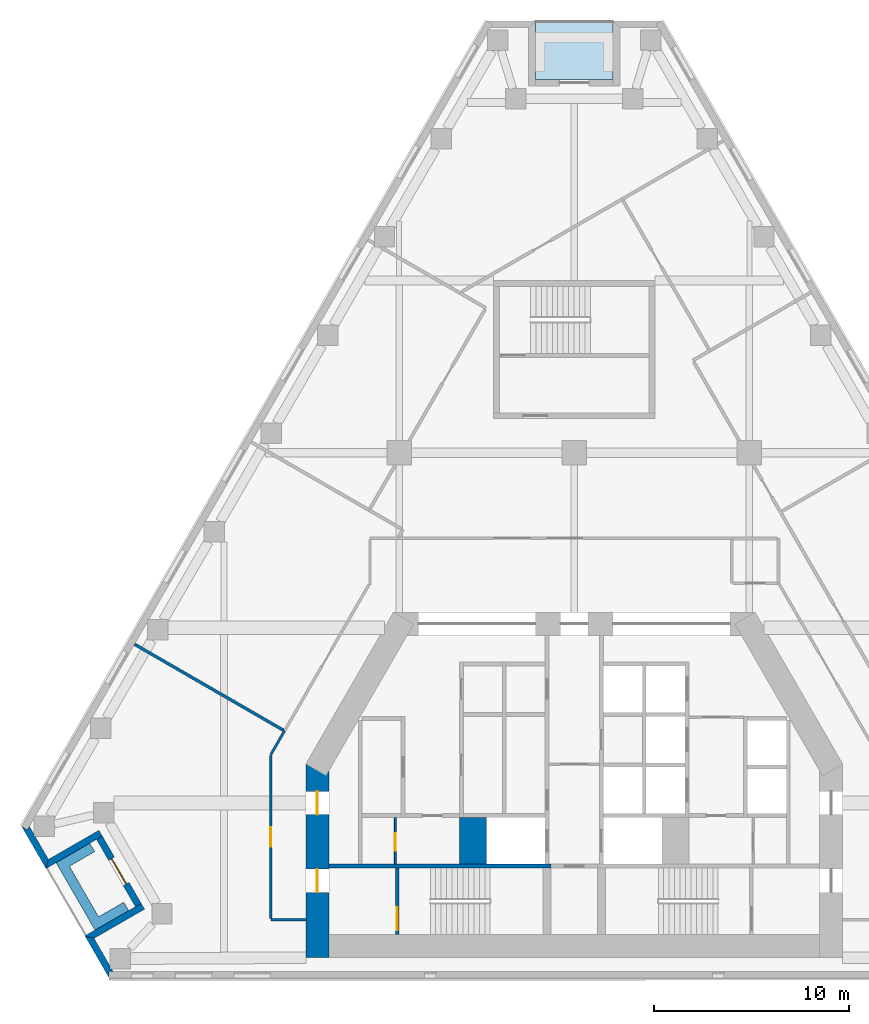
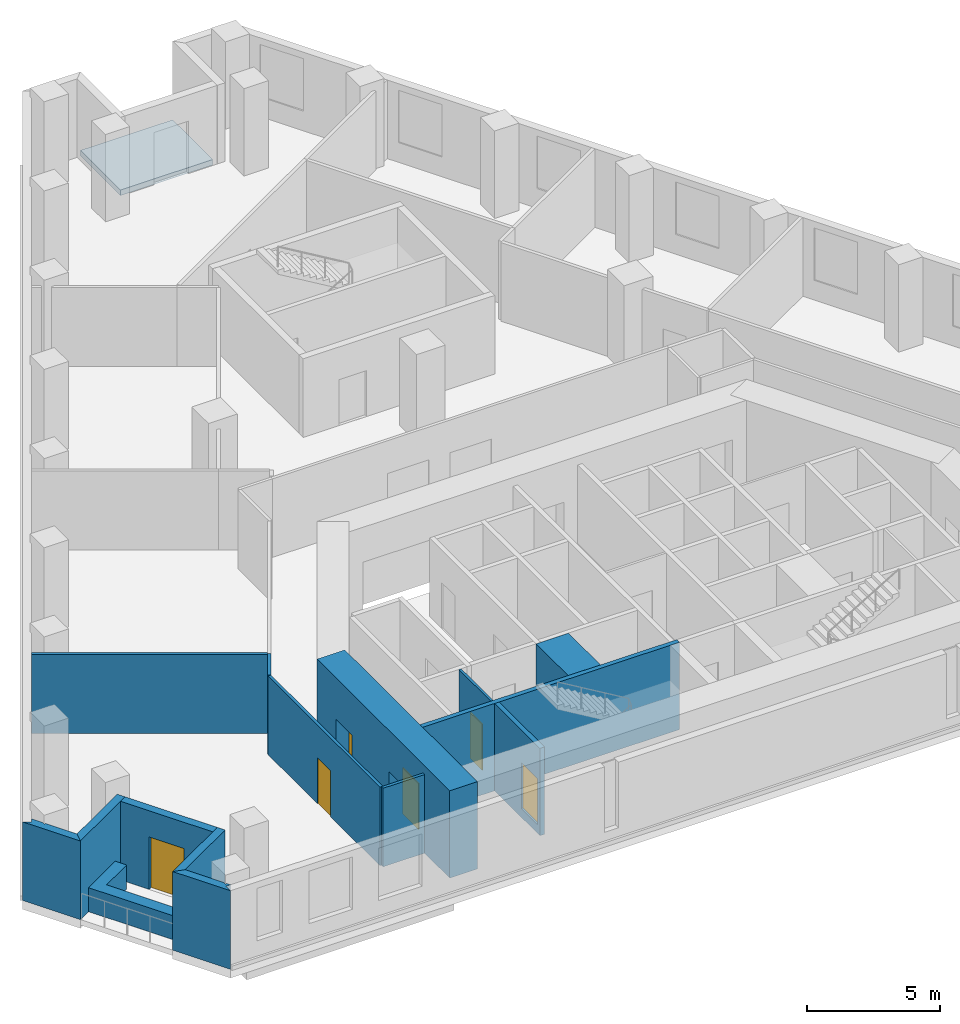
# One storey, part 2 of 7: 15 walls, 6 doors, 1 slab, 6 openings.
"""IFC4 building model written with IfcOpenShell, lengths in metres."""

from ifc_helpers import new_model, si_unit, direction, frame, frame_2d, origin, place, context, subcontext, project, spatial, polyline, rectangle, outline, extrude, material, layer, layer_set, type_object, element, fill, save


model = new_model("IFC4")

# Units and contexts
model_context = context("Model", 3, precision=1e-05, world=origin(), true_north=direction((0.0, 1.0)))
body_context = subcontext(model_context, "Body", "Model", "MODEL_VIEW")
ifc_project = project(units=[si_unit("LENGTHUNIT", "METRE"), si_unit("AREAUNIT", "SQUARE_METRE"), si_unit("VOLUMEUNIT", "CUBIC_METRE"), si_unit("PLANEANGLEUNIT", "RADIAN"), si_unit("MASSUNIT", "GRAM", prefix="KILO")], contexts=[model_context])

# Site, building, storey
site_placement = place(None, origin())
site = spatial("IfcSite", under=ifc_project, at=site_placement, CompositionType="ELEMENT")
building_placement = place(site_placement, origin())
building = spatial("IfcBuilding", under=site, at=building_placement, Name="Fogline Exchange Tower", CompositionType="ELEMENT")
storey_placement = place(building_placement, frame((0.0, 0.0, 170.89990234375)))
storey = spatial("IfcBuildingStorey", under=building, at=storey_placement, Name="L38", CompositionType="ELEMENT", Elevation=170.89990234375)

# Slab
ifc_material_1 = material(Name="Concrete C40", Category="concrete")
ifc_layer_1 = layer(ifc_material_1, 0.25)
ifc_layer_set_1 = layer_set([ifc_layer_1], Name="DK1")
slab_type = type_object("IfcSlabType", Name="DK1", PredefinedType="FLOOR", material=ifc_layer_set_1)
slab_placement = place(storey_placement, frame((0.0, 0.0, -0.25)))
element("IfcSlab", 1, at=slab_placement, inside=storey, type_object=slab_type, Name="Balcony L38 N", PredefinedType="FLOOR", context=body_context, shape_type="SweptSolid", body=[
    extrude(outline(polyline([(2.0, 49.19677734375), (-2.0, 49.19677734375), (-2.0, 46.19677734375), (2.0, 46.19677734375), (2.0, 49.19677734375)])), origin(), (0.0, 0.0, 1.0), 0.25),
])

# Wall, opening, door
ifc_material_2 = material(Name="Blockwork partition", Category="masonry")
ifc_layer_2 = layer(ifc_material_2, 0.10009765625)
ifc_layer_set_2 = layer_set([ifc_layer_2], Name="CW10")
wall_type_1 = type_object("IfcWallType", Name="CW10", PredefinedType="PARTITIONING", material=ifc_layer_set_2)
wall_1_placement = place(storey_placement, frame((-9.199951171875, 5.85009765625, 0.0), z_axis=(0.0, 0.0, 1.0), x_axis=(0.0, 1.0, 0.0)))
wall_1 = element("IfcWall", 2, at=wall_1_placement, inside=storey, type_object=wall_type_1, Name="WC partition", PredefinedType="PARTITIONING", context=body_context, shape_type="SweptSolid", body=[
    extrude(rectangle(XDim=2.39990234375, YDim=0.10009765625, at=frame_2d((1.199951171875, 0.0))), origin(), (0.0, 0.0, 1.0), 3.60009765625),
])
opening_1_placement = place(wall_1_placement, frame((0.699951171875, 0.0, 0.0)))
opening_1 = element("IfcOpeningElement", 3, at=opening_1_placement, cuts=wall_1, Name="Opening T12-C009", PredefinedType="OPENING", context=body_context, shape_type="SweptSolid", body=[
    extrude(rectangle(XDim=0.89990234375, YDim=2.10009765625, at=frame_2d((0.449951171875, 1.050048828125))), frame((0.0, 0.06005859375, 0.0), z_axis=(0.0, -1.0, 0.0), x_axis=(1.0, 0.0, 0.0)), (0.0, 0.0, 1.0), 0.1201171875),
])
ifc_material_3 = material(Name="Steel and timber fire door", Category="steel")
door_type_1 = type_object("IfcDoorType", Name="D-CS1", OperationType="SINGLE_SWING_RIGHT", PredefinedType="DOOR", material=ifc_material_3)
door_1_placement = place(opening_1_placement, origin())
door_1 = element("IfcDoor", 4, at=door_1_placement, inside=storey, type_object=door_type_1, Name="Door to Cleaner's Store", OperationType="SINGLE_SWING_LEFT", OverallHeight=2.10009765625, OverallWidth=0.89990234375, PredefinedType="DOOR", context=body_context, shape_type="SweptSolid", body=[
    extrude(rectangle(XDim=0.89990234375, YDim=2.10009765625, at=frame_2d((0.449951171875, 1.050048828125))), frame((0.0, 0.02490234375, 0.0), z_axis=(0.0, -1.0, 0.0), x_axis=(1.0, 0.0, 0.0)), (0.0, 0.0, 1.0), 0.050048828125),
])
fill(opening_1, door_1)

# Walls
ifc_material_4 = material(Name="Concrete C60", Category="concrete")
ifc_layer_3 = layer(ifc_material_4, 1.39990234375)
ifc_layer_set_3 = layer_set([ifc_layer_3], Name="CW140")
wall_type_2 = type_object("IfcWallType", Name="CW140", PredefinedType="SOLIDWALL", material=ifc_layer_set_3)
wall_2_placement = place(storey_placement, frame((-5.199951171875, 5.85009765625, -0.39990234375), z_axis=(0.0, 0.0, 1.0), x_axis=(0.0, 1.0, 0.0)))
element("IfcWall", 5, at=wall_2_placement, inside=storey, type_object=wall_type_2, Name="Lift shaft block wall", PredefinedType="SOLIDWALL", context=body_context, shape_type="SweptSolid", body=[
    extrude(rectangle(XDim=2.39990234375, YDim=1.39990234375, at=frame_2d((1.199951171875, 0.0))), origin(), (0.0, 0.0, 1.0), 4.0),
])
ifc_layer_4 = layer(ifc_material_1, 0.199951171875)
ifc_layer_set_4 = layer_set([ifc_layer_4], Name="CW20R")
wall_type_3 = type_object("IfcWallType", Name="CW20R", PredefinedType="SOLIDWALL", material=ifc_layer_set_4)
wall_3_placement = place(storey_placement, frame((-12.60009765625, 5.75, -0.39990234375), z_axis=(0.0, 0.0, 1.0), x_axis=(1.0, 0.0, 0.0)))
element("IfcWall", 6, at=wall_3_placement, inside=storey, type_object=wall_type_3, Name="Stair enclosure wall", PredefinedType="SOLIDWALL", context=body_context, shape_type="SweptSolid", body=[
    extrude(rectangle(XDim=11.400146484375, YDim=0.199951171875, at=frame_2d((5.7001953125, 0.0))), origin(), (0.0, 0.0, 1.0), 4.0),
])

# Wall, opening, door
wall_4_placement = place(storey_placement, frame((-9.10009765625, 2.25, -0.39990234375), z_axis=(0.0, 0.0, 1.0), x_axis=(0.0, 1.0, 0.0)))
wall_4 = element("IfcWall", 7, at=wall_4_placement, inside=storey, type_object=wall_type_3, Name="Stair enclosure wall", PredefinedType="SOLIDWALL", context=body_context, shape_type="SweptSolid", body=[
    extrude(rectangle(XDim=3.39990234375, YDim=0.199951171875, at=frame_2d((1.699951171875, 0.0))), origin(), (0.0, 0.0, 1.0), 4.0),
])
opening_2_placement = place(wall_4_placement, frame((0.199951171875, 0.0, 0.39990234375)))
opening_2 = element("IfcOpeningElement", 8, at=opening_2_placement, cuts=wall_4, Name="Opening T12-C011", PredefinedType="OPENING", context=body_context, shape_type="SweptSolid", body=[
    extrude(rectangle(XDim=1.199951171875, YDim=2.10009765625, at=frame_2d((0.60009765625, 1.050048828125))), frame((0.0, 0.10986328125, 0.0), z_axis=(0.0, -1.0, 0.0), x_axis=(1.0, 0.0, 0.0)), (0.0, 0.0, 1.0), 0.219970703125),
])
door_type_2 = type_object("IfcDoorType", Name="D-ST1", OperationType="SINGLE_SWING_LEFT", PredefinedType="DOOR", material=ifc_material_3)
door_2_placement = place(opening_2_placement, frame((1.199951171875, 0.0, 0.0), z_axis=(0.0, 0.0, 1.0), x_axis=(-1.0, 0.0, 0.0)))
door_2 = element("IfcDoor", 9, at=door_2_placement, inside=storey, type_object=door_type_2, Name="Stair door ST1", OperationType="SINGLE_SWING_RIGHT", OverallHeight=2.10009765625, OverallWidth=1.199951171875, PredefinedType="DOOR", context=body_context, shape_type="SweptSolid", body=[
    extrude(rectangle(XDim=1.199951171875, YDim=2.10009765625, at=frame_2d((0.60009765625, 1.050048828125))), frame((0.0, 0.02490234375, 0.0), z_axis=(0.0, -1.0, 0.0), x_axis=(1.0, 0.0, 0.0)), (0.0, 0.0, 1.0), 0.050048828125),
])
fill(opening_2, door_2)

# Walls
ifc_material_5 = material(Name="Brick masonry", Category="masonry")
ifc_layer_5 = layer(ifc_material_5, 0.340087890625)
ifc_layer_set_5 = layer_set([ifc_layer_5], Name="FW1")
wall_type_4 = type_object("IfcWallType", Name="FW1", PredefinedType="SOLIDWALL", material=ifc_layer_set_5)
wall_5_placement = place(storey_placement, origin())
element("IfcWall", 10, at=wall_5_placement, inside=storey, type_object=wall_type_4, Name="Brick wall L38 SW-c1", PredefinedType="SOLIDWALL", context=body_context, shape_type="SweptSolid", body=[
    extrude(outline(polyline([(-27.15380859375, 5.6279296875), (-28.40478515625, 7.794921875), (-28.404296875, 7.79541015625), (-28.109375, 7.625), (-28.010986328125, 7.79541015625), (-27.77392578125, 7.384765625), (-27.77392578125, 7.269287109375), (-27.707275390625, 7.269287109375), (-27.028564453125, 6.09375), (-27.1533203125, 5.6279296875), (-27.15380859375, 5.6279296875)])), origin(), (0.0, 0.0, 1.0), 3.60009765625),
])
wall_6_placement = place(storey_placement, origin())
element("IfcWall", 11, at=wall_6_placement, inside=storey, type_object=wall_type_4, Name="Brick wall L38 SW-s1", PredefinedType="SOLIDWALL", context=body_context, shape_type="SweptSolid", body=[
    extrude(outline(polyline([(-24.430908203125, 7.594482421875), (-24.26025390625, 7.298828125), (-24.555419921875, 7.128662109375), (-27.154296875, 5.628173828125), (-27.154541015625, 5.62841796875), (-27.02978515625, 6.093994140625), (-24.430908203125, 7.594482421875)])), origin(), (0.0, 0.0, 1.0), 3.60009765625),
])

# Wall, opening, door
wall_7_placement = place(storey_placement, frame((-24.408447265625, 7.214111328125, 0.0), z_axis=(0.0, 0.0, 1.0), x_axis=(0.49999894854, -0.866026010844, 0.0)))
wall_7 = element("IfcWall", 12, at=wall_7_placement, inside=storey, type_object=wall_type_4, Name="Brick wall L38 SW-bk", PredefinedType="SOLIDWALL", context=body_context, shape_type="SweptSolid", body=[
    extrude(rectangle(XDim=4.0, YDim=0.340087890625, at=frame_2d((2.0, 0.0))), origin(), (0.0, 0.0, 1.0), 3.60009765625),
])
opening_3_placement = place(wall_7_placement, frame((1.25, 0.0, 0.0)))
opening_3 = element("IfcOpeningElement", 13, at=opening_3_placement, cuts=wall_7, Name="Opening T12-E021", PredefinedType="OPENING", context=body_context, shape_type="SweptSolid", body=[
    extrude(rectangle(XDim=1.5, YDim=2.39990234375, at=frame_2d((0.75, 1.199951171875))), frame((0.0, 0.18017578125, 0.0), z_axis=(0.0, -1.0, 0.0), x_axis=(1.0, 0.0, 0.0)), (0.0, 0.0, 1.0), 0.360107421875),
])
ifc_material_6 = material(Name="Aluminium and glass", Category="aluminium")
door_type_3 = type_object("IfcDoorType", Name="ED4", OperationType="SINGLE_SWING_LEFT", PredefinedType="DOOR", material=ifc_material_6)
door_3_placement = place(opening_3_placement, frame((1.5, 0.0, 0.0), z_axis=(0.0, 0.0, 1.0), x_axis=(-1.0, 0.0, 0.0)))
door_3 = element("IfcDoor", 14, at=door_3_placement, inside=storey, type_object=door_type_3, Name="Balcony door L38 SW", OperationType="DOUBLE_DOOR_SINGLE_SWING", OverallHeight=2.39990234375, OverallWidth=1.5, PredefinedType="DOOR", context=body_context, shape_type="SweptSolid", body=[
    extrude(rectangle(XDim=1.5, YDim=2.39990234375, at=frame_2d((0.75, 1.199951171875))), frame((0.0, 0.02490234375, 0.0), z_axis=(0.0, -1.0, 0.0), x_axis=(1.0, 0.0, 0.0)), (0.0, 0.0, 1.0), 0.050048828125),
])
fill(opening_3, door_3)

# Walls
wall_8_placement = place(storey_placement, origin())
element("IfcWall", 15, at=wall_8_placement, inside=storey, type_object=wall_type_4, Name="Brick wall L38 SW-s2", PredefinedType="SOLIDWALL", context=body_context, shape_type="SweptSolid", body=[
    extrude(outline(polyline([(-25.155029296875, 2.1650390625), (-22.555908203125, 3.66552734375), (-22.260986328125, 3.8359375), (-22.09033203125, 3.540283203125), (-24.689208984375, 2.0400390625), (-25.15478515625, 2.164794921875), (-25.155029296875, 2.1650390625)])), origin(), (0.0, 0.0, 1.0), 3.60009765625),
])
wall_9_placement = place(storey_placement, origin())
element("IfcWall", 16, at=wall_9_placement, inside=storey, type_object=wall_type_4, Name="Brick wall L38 SW-c2", PredefinedType="SOLIDWALL", context=body_context, shape_type="SweptSolid", body=[
    extrude(outline(polyline([(-23.851318359375, 0.590576171875), (-23.851318359375, 0.47509765625), (-23.78466796875, 0.47509765625), (-23.706298828125, 0.33935546875), (-23.903076171875, 0.33935546875), (-23.903076171875, -0.0009765625), (-23.903564453125, -0.001220703125), (-25.15478515625, 2.165771484375), (-25.154541015625, 2.166015625), (-24.68896484375, 2.041015625), (-23.851318359375, 0.590576171875)])), origin(), (0.0, 0.0, 1.0), 3.60009765625),
])
ifc_material_7 = material(Name="Concrete C30", Category="concrete")
ifc_layer_6 = layer(ifc_material_7, 0.199951171875)
ifc_layer_set_6 = layer_set([ifc_layer_6], Name="PL1")
wall_type_5 = type_object("IfcWallType", Name="PL1", PredefinedType="USERDEFINED", material=ifc_layer_set_6)
wall_10_placement = place(storey_placement, origin())
element("IfcWall", 17, at=wall_10_placement, inside=storey, type_object=wall_type_5, Name="PLANTER balcony L38 SW", ObjectType="PLANTER", PredefinedType="USERDEFINED", context=body_context, shape_type="SweptSolid", body=[
    extrude(outline(polyline([(-23.152099609375, 3.898193359375), (-24.451171875, 3.148193359375), (-25.951171875, 5.74609375), (-24.652099609375, 6.49609375), (-24.902099609375, 6.92919921875), (-26.634033203125, 5.92919921875), (-26.384033203125, 5.49609375), (-24.634033203125, 2.465087890625), (-24.201171875, 2.715087890625), (-24.201171875, 2.715087890625), (-22.902099609375, 3.465087890625), (-23.152099609375, 3.898193359375)])), origin(), (0.0, 0.0, 1.0), 1.10009765625),
])
ifc_material_8 = material(Name="Plasterboard corridor partition with mineral wool, 2 layers each side")
ifc_layer_7 = layer(ifc_material_8, 0.125)
ifc_layer_set_7 = layer_set([ifc_layer_7], Name="PW2")
wall_type_6 = type_object("IfcWallType", Name="PW2", PredefinedType="PARTITIONING", material=ifc_layer_set_7)
wall_11_placement = place(storey_placement, frame((-13.800048828125, 3.0, 0.0), z_axis=(0.0, 0.0, 1.0), x_axis=(-1.0, 0.0, 0.0)))
element("IfcWall", 18, at=wall_11_placement, inside=storey, type_object=wall_type_6, Name="wall-L38-W010", PredefinedType="PARTITIONING", context=body_context, shape_type="SweptSolid", body=[
    extrude(rectangle(XDim=1.800048828125, YDim=0.125, at=frame_2d((0.89990234375, 0.0))), origin(), (0.0, 0.0, 1.0), 3.60009765625),
])

# Wall, opening, door
wall_12_placement = place(storey_placement, frame((-15.60009765625, 3.0625, 0.0), z_axis=(0.0, 0.0, 1.0), x_axis=(0.0, 1.0, 0.0)))
wall_12 = element("IfcWall", 19, at=wall_12_placement, inside=storey, type_object=wall_type_6, Name="wall-L38-W011", PredefinedType="PARTITIONING", context=body_context, shape_type="SweptSolid", body=[
    extrude(rectangle(XDim=8.3876953125, YDim=0.125, at=frame_2d((4.19384765625, 0.0))), origin(), (0.0, 0.0, 1.0), 3.60009765625),
])
opening_4_placement = place(wall_12_placement, frame((3.69384765625, 0.0, 0.0)))
opening_4 = element("IfcOpeningElement", 20, at=opening_4_placement, cuts=wall_12, Name="Opening T12-D006", PredefinedType="OPENING", context=body_context, shape_type="SweptSolid", body=[
    extrude(rectangle(XDim=1.0, YDim=2.10009765625, at=frame_2d((0.5, 1.050048828125))), frame((0.0, 0.072509765625, 0.0), z_axis=(0.0, -1.0, 0.0), x_axis=(1.0, 0.0, 0.0)), (0.0, 0.0, 1.0), 0.14501953125),
])
ifc_material_9 = material(Name="Fire-rated timber door leaf with steel frame", Category="steel")
door_type_4 = type_object("IfcDoorType", Name="D3", OperationType="SINGLE_SWING_LEFT", PredefinedType="DOOR", material=ifc_material_9)
door_4_placement = place(opening_4_placement, origin())
door_4 = element("IfcDoor", 21, at=door_4_placement, inside=storey, type_object=door_type_4, Name="door-L38-D006", OperationType="SINGLE_SWING_LEFT", OverallHeight=2.10009765625, OverallWidth=1.0, PredefinedType="DOOR", context=body_context, shape_type="SweptSolid", body=[
    extrude(rectangle(XDim=1.0, YDim=2.10009765625, at=frame_2d((0.5, 1.050048828125))), frame((0.0, 0.02490234375, 0.0), z_axis=(0.0, -1.0, 0.0), x_axis=(1.0, 0.0, 0.0)), (0.0, 0.0, 1.0), 0.050048828125),
])
fill(opening_4, door_4)

# Walls
wall_13_placement = place(storey_placement, frame((-15.60009765625, 11.481201171875, 0.0), z_axis=(0.0, 0.0, 1.0), x_axis=(0.499981405807, 0.866036138881, 0.0)))
element("IfcWall", 22, at=wall_13_placement, inside=storey, type_object=wall_type_6, Name="wall-L38-W012", PredefinedType="PARTITIONING", context=body_context, shape_type="SweptSolid", body=[
    extrude(rectangle(XDim=1.41455078125, YDim=0.125, at=frame_2d((0.707275390625, 0.0))), origin(), (0.0, 0.0, 1.0), 3.60009765625),
])
ifc_material_10 = material(Name="Plasterboard demising partition with mineral wool and acoustic board")
ifc_layer_8 = layer(ifc_material_10, 0.14990234375)
ifc_layer_set_8 = layer_set([ifc_layer_8], Name="PW3")
wall_type_7 = type_object("IfcWallType", Name="PW3", PredefinedType="PARTITIONING", material=ifc_layer_set_8)
wall_14_placement = place(storey_placement, frame((-14.947021484375, 12.7373046875, 0.0), z_axis=(0.0, 0.0, 1.0), x_axis=(-0.866008559923, 0.500029173289, 0.0)))
element("IfcWall", 23, at=wall_14_placement, inside=storey, type_object=wall_type_7, Name="wall-L38-W032", PredefinedType="PARTITIONING", context=body_context, shape_type="SweptSolid", body=[
    extrude(rectangle(XDim=8.84228515625, YDim=0.14990234375, at=frame_2d((4.421142578125, 0.0))), origin(), (0.0, 0.0, 1.0), 3.60009765625),
])

# Wall, openings, doors
ifc_layer_9 = layer(ifc_material_4, 1.199951171875)
ifc_layer_set_9 = layer_set([ifc_layer_9], Name="SW02")
wall_type_8 = type_object("IfcWallType", Name="SW02", PredefinedType="SHEAR", material=ifc_layer_set_9)
wall_15_placement = place(storey_placement, frame((-13.199951171875, 10.9990234375, 0.0), z_axis=(0.0, 0.0, 1.0), x_axis=(0.0, -1.0, 0.0)))
wall_15 = element("IfcWall", 24, at=wall_15_placement, inside=storey, type_object=wall_type_8, Name="L38-W906", PredefinedType="SHEAR", context=body_context, shape_type="SweptSolid", body=[
    extrude(rectangle(XDim=9.948974609375, YDim=1.199951171875, at=frame_2d((4.974609375, 0.0))), origin(), (0.0, 0.0, 1.0), 4.0),
])
opening_5_placement = place(wall_15_placement, frame((5.39892578125, 0.0, 0.0)))
opening_5 = element("IfcOpeningElement", 25, at=opening_5_placement, cuts=wall_15, Name="Opening T12-C010", PredefinedType="OPENING", context=body_context, shape_type="SweptSolid", body=[
    extrude(rectangle(XDim=1.199951171875, YDim=2.10009765625, at=frame_2d((0.60009765625, 1.050048828125))), frame((0.0, 0.60986328125, 0.0), z_axis=(0.0, -1.0, 0.0), x_axis=(1.0, 0.0, 0.0)), (0.0, 0.0, 1.0), 1.219970703125),
])
opening_6_placement = place(wall_15_placement, frame((1.39892578125, 0.0, 0.0)))
opening_6 = element("IfcOpeningElement", 26, at=opening_6_placement, cuts=wall_15, Name="Opening T12-C012", PredefinedType="OPENING", context=body_context, shape_type="SweptSolid", body=[
    extrude(rectangle(XDim=1.199951171875, YDim=2.10009765625, at=frame_2d((0.60009765625, 1.050048828125))), frame((0.0, 0.60986328125, 0.0), z_axis=(0.0, -1.0, 0.0), x_axis=(1.0, 0.0, 0.0)), (0.0, 0.0, 1.0), 1.219970703125),
])
door_type_5 = type_object("IfcDoorType", Name="D-FR1", OperationType="SINGLE_SWING_RIGHT", PredefinedType="DOOR", material=ifc_material_3)
door_5_placement = place(opening_5_placement, origin())
door_5 = element("IfcDoor", 27, at=door_5_placement, inside=storey, type_object=door_type_5, Name="Front room door ST1", OperationType="SINGLE_SWING_LEFT", OverallHeight=2.10009765625, OverallWidth=1.199951171875, PredefinedType="DOOR", context=body_context, shape_type="SweptSolid", body=[
    extrude(rectangle(XDim=1.199951171875, YDim=2.10009765625, at=frame_2d((0.60009765625, 1.050048828125))), frame((0.0, 0.02490234375, 0.0), z_axis=(0.0, -1.0, 0.0), x_axis=(1.0, 0.0, 0.0)), (0.0, 0.0, 1.0), 0.050048828125),
])
fill(opening_5, door_5)
door_type_6 = type_object("IfcDoorType", Name="D-SV1", OperationType="SINGLE_SWING_LEFT", PredefinedType="DOOR", material=ifc_material_3)
door_6_placement = place(opening_6_placement, origin())
door_6 = element("IfcDoor", 28, at=door_6_placement, inside=storey, type_object=door_type_6, Name="Service door W", OperationType="SINGLE_SWING_LEFT", OverallHeight=2.10009765625, OverallWidth=1.199951171875, PredefinedType="DOOR", context=body_context, shape_type="SweptSolid", body=[
    extrude(rectangle(XDim=1.199951171875, YDim=2.10009765625, at=frame_2d((0.60009765625, 1.050048828125))), frame((0.0, 0.02490234375, 0.0), z_axis=(0.0, -1.0, 0.0), x_axis=(1.0, 0.0, 0.0)), (0.0, 0.0, 1.0), 0.050048828125),
])
fill(opening_6, door_6)

save(model, "model.ifc")
